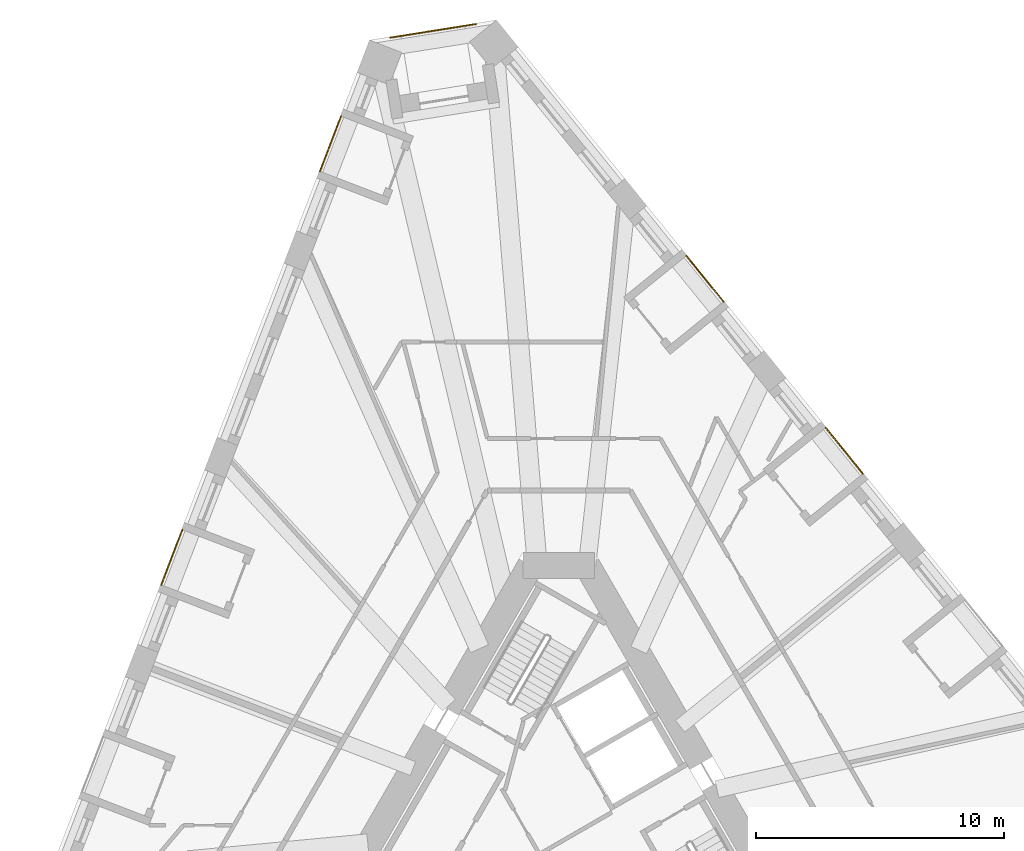
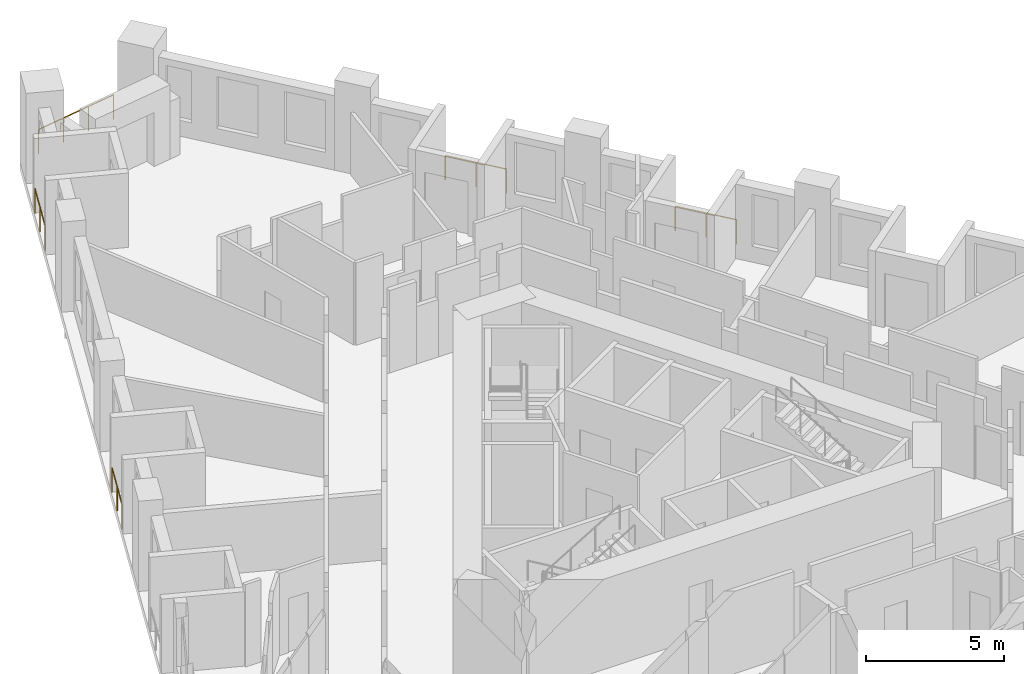
# One storey, part 14 of 14: 5 railings.
"""IFC4 building model written with IfcOpenShell, lengths in metres."""

from ifc_helpers import new_model, si_unit, direction, frame, origin, origin_2d, place, context, subcontext, project, spatial, circle, extrude, material, type_object, element, save


model = new_model("IFC4")

# Units and contexts
model_context = context("Model", 3, precision=1e-05, world=origin(), true_north=direction((0.0, 1.0)))
body_context = subcontext(model_context, "Body", "Model", "MODEL_VIEW")
ifc_project = project(units=[si_unit("LENGTHUNIT", "METRE"), si_unit("AREAUNIT", "SQUARE_METRE"), si_unit("VOLUMEUNIT", "CUBIC_METRE"), si_unit("PLANEANGLEUNIT", "RADIAN"), si_unit("MASSUNIT", "GRAM", prefix="KILO")], contexts=[model_context])

# Site, building, storey
site_placement = place(None, origin())
site = spatial("IfcSite", under=ifc_project, at=site_placement, CompositionType="ELEMENT")
building_placement = place(site_placement, origin())
building = spatial("IfcBuilding", under=site, at=building_placement, Name="Tramontana Tower", CompositionType="ELEMENT")
storey_placement = place(building_placement, frame((0.0, 0.0, 59.199951171875)))
storey = spatial("IfcBuildingStorey", under=building, at=storey_placement, Name="L12", CompositionType="ELEMENT", Elevation=59.199951171875)

# Railings
ifc_material = material(Name="Laminated glass balustrade", Category="glass")
railing_type = type_object("IfcRailingType", Name="GD1 Loggia glass balustrade 1100", PredefinedType="BALUSTRADE", material=ifc_material)
railing_1_placement = place(storey_placement, frame((-8.798828125, 28.61767578125, 0.0)))
element("IfcRailing", 1, at=railing_1_placement, inside=storey, type_object=railing_type, Name="Loggia balustrade L12 G1S0.1", PredefinedType="BALUSTRADE", context=body_context, shape_type="SweptSolid", body=[
    extrude(circle(Radius=0.02392578125, at=origin_2d()), frame((0.0, 0.0, 1.076171875), z_axis=(-0.35829926872, -0.933606787697, 0.0), x_axis=(0.933606787697, -0.35829926872, 0.0)), (0.0, 0.0, 1.0), 2.3828125),
    extrude(circle(Radius=0.02099609375, at=origin_2d()), origin(), (0.0, 0.0, 1.0), 1.052001953125),
    extrude(circle(Radius=0.02099609375, at=origin_2d()), frame((-0.4267578125, -1.1123046875, 0.0)), (0.0, 0.0, 1.0), 1.052001953125),
    extrude(circle(Radius=0.02099609375, at=origin_2d()), frame((-0.853759765625, -2.224609375, 0.0)), (0.0, 0.0, 1.0), 1.052001953125),
])
railing_2_placement = place(storey_placement, frame((-15.212646484375, 11.90869140625, 0.0)))
element("IfcRailing", 2, at=railing_2_placement, inside=storey, type_object=railing_type, Name="Loggia balustrade L12 G1S0.7", PredefinedType="BALUSTRADE", context=body_context, shape_type="SweptSolid", body=[
    extrude(circle(Radius=0.02392578125, at=origin_2d()), frame((0.0, 0.0, 1.076171875), z_axis=(-0.35838856932, -0.933572511046, 0.0), x_axis=(0.933572511046, -0.35838856932, 0.0)), (0.0, 0.0, 1.0), 2.3828125),
    extrude(circle(Radius=0.02099609375, at=origin_2d()), origin(), (0.0, 0.0, 1.0), 1.052001953125),
    extrude(circle(Radius=0.02099609375, at=origin_2d()), frame((-0.427001953125, -1.1123046875, 0.0)), (0.0, 0.0, 1.0), 1.052001953125),
    extrude(circle(Radius=0.02099609375, at=origin_2d()), frame((-0.85400390625, -2.224609375, 0.0)), (0.0, 0.0, 1.0), 1.052001953125),
])
railing_3_placement = place(storey_placement, frame((12.287841796875, 14.1748046875, 0.0)))
element("IfcRailing", 3, at=railing_3_placement, inside=storey, type_object=railing_type, Name="Loggia balustrade L12 G1S2.10", PredefinedType="BALUSTRADE", context=body_context, shape_type="SweptSolid", body=[
    extrude(circle(Radius=0.02392578125, at=origin_2d()), frame((0.0, 0.0, 1.076171875), z_axis=(-0.629319049918, 0.777147047482, 0.0), x_axis=(-0.777147047482, -0.629319049918, 0.0)), (0.0, 0.0, 1.0), 2.383056640625),
    extrude(circle(Radius=0.02099609375, at=origin_2d()), origin(), (0.0, 0.0, 1.0), 1.052001953125),
    extrude(circle(Radius=0.02099609375, at=origin_2d()), frame((-0.75, 0.926025390625, 0.0)), (0.0, 0.0, 1.0), 1.052001953125),
    extrude(circle(Radius=0.02099609375, at=origin_2d()), frame((-1.499755859375, 1.85205078125, 0.0)), (0.0, 0.0, 1.0), 1.052001953125),
])
railing_4_placement = place(storey_placement, frame((6.656005859375, 21.129638671875, 0.0)))
element("IfcRailing", 4, at=railing_4_placement, inside=storey, type_object=railing_type, Name="Loggia balustrade L12 G1S2.13", PredefinedType="BALUSTRADE", context=body_context, shape_type="SweptSolid", body=[
    extrude(circle(Radius=0.02392578125, at=origin_2d()), frame((0.0, 0.0, 1.076171875), z_axis=(-0.62930727886, 0.777156579316, 0.0), x_axis=(-0.777156579316, -0.62930727886, 0.0)), (0.0, 0.0, 1.0), 2.3828125),
    extrude(circle(Radius=0.02099609375, at=origin_2d()), origin(), (0.0, 0.0, 1.0), 1.052001953125),
    extrude(circle(Radius=0.02099609375, at=origin_2d()), frame((-0.749755859375, 0.92578125, 0.0)), (0.0, 0.0, 1.0), 1.052001953125),
    extrude(circle(Radius=0.02099609375, at=origin_2d()), frame((-1.49951171875, 1.851806640625, 0.0)), (0.0, 0.0, 1.0), 1.052001953125),
])
railing_5_placement = place(storey_placement, frame((-6.807861328125, 31.79638671875, 0.0)))
element("IfcRailing", 5, at=railing_5_placement, inside=storey, type_object=railing_type, Name="Corner loggia balustrade L12 K10", PredefinedType="BALUSTRADE", context=body_context, shape_type="SweptSolid", body=[
    extrude(circle(Radius=0.02392578125, at=origin_2d()), frame((0.0, 0.0, 1.076171875), z_axis=(0.987683654859, 0.156464046744, 0.0), x_axis=(-0.156464046744, 0.987683654859, 0.0)), (0.0, 0.0, 1.0), 3.5),
    extrude(circle(Radius=0.02099609375, at=origin_2d()), origin(), (0.0, 0.0, 1.0), 1.052001953125),
    extrude(circle(Radius=0.02099609375, at=origin_2d()), frame((1.15234375, 0.1826171875, 0.0)), (0.0, 0.0, 1.0), 1.052001953125),
    extrude(circle(Radius=0.02099609375, at=origin_2d()), frame((2.304443359375, 0.364990234375, 0.0)), (0.0, 0.0, 1.0), 1.052001953125),
    extrude(circle(Radius=0.02099609375, at=origin_2d()), frame((3.456787109375, 0.547607421875, 0.0)), (0.0, 0.0, 1.0), 1.052001953125),
])

save(model, "model.ifc")
